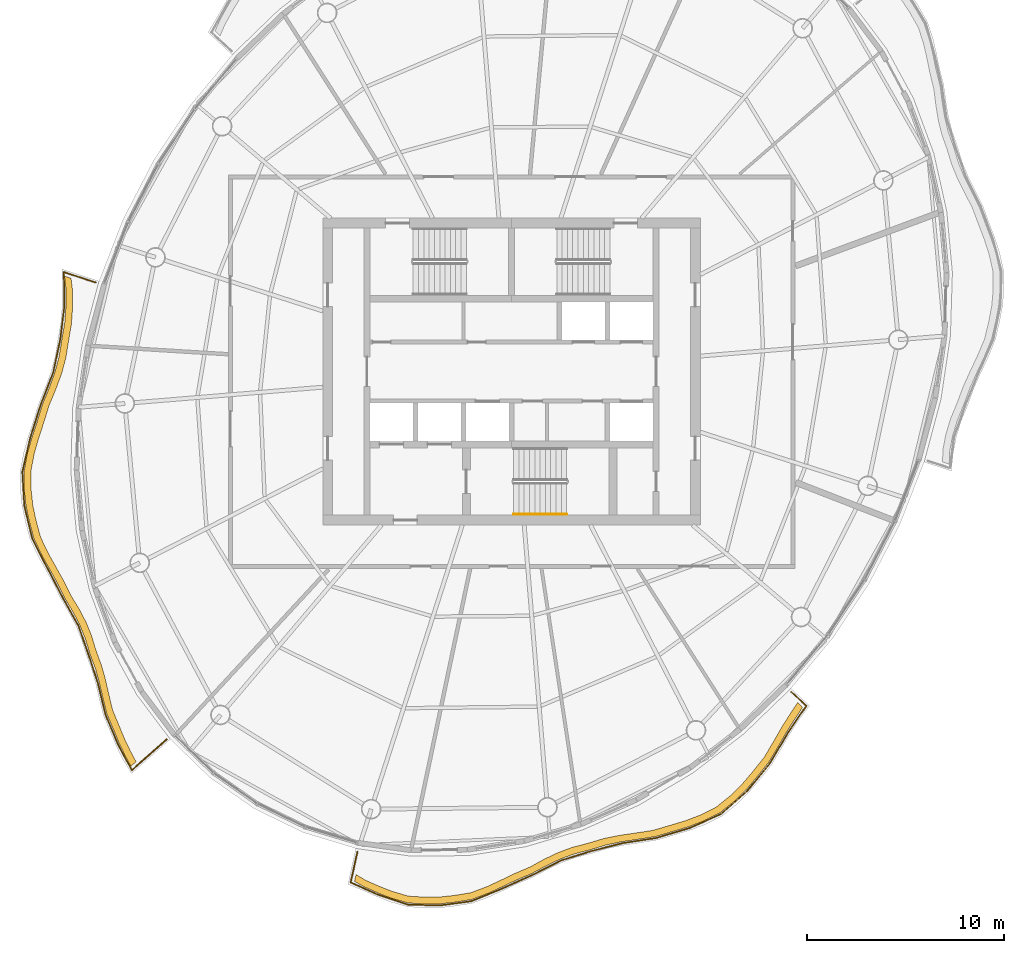
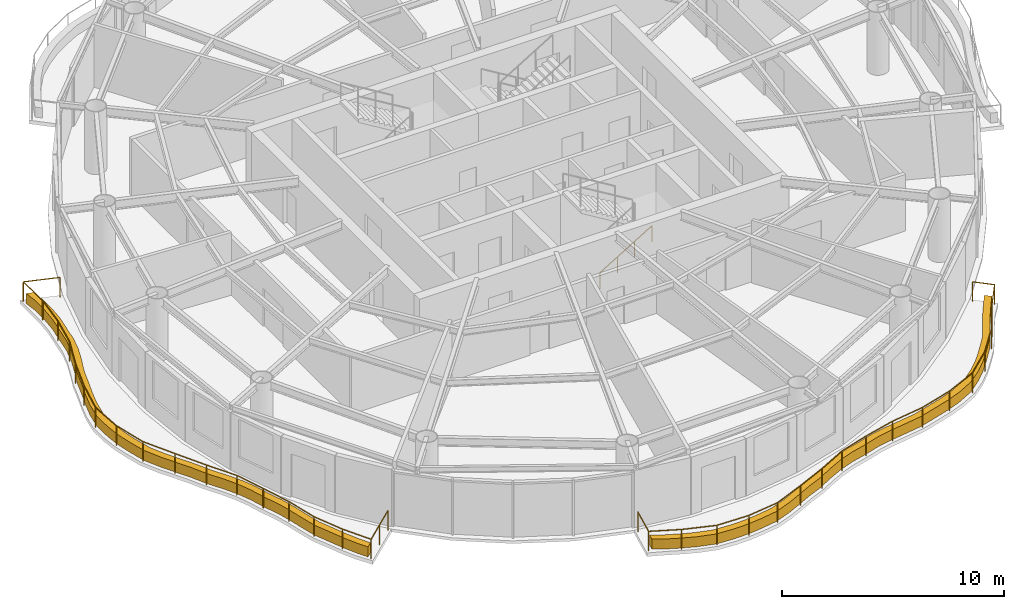
# One storey, part 11 of 13: 3 railings, 2 coverings.
"""IFC4 building model written with IfcOpenShell, lengths in metres."""

from ifc_helpers import new_model, si_unit, direction, frame, origin, origin_2d, place, context, subcontext, project, spatial, polyline, circle, outline, extrude, material, type_object, element, save


model = new_model("IFC4")

# Units and contexts
model_context = context("Model", 3, precision=1e-05, world=origin(), true_north=direction((0.0, 1.0)))
body_context = subcontext(model_context, "Body", "Model", "MODEL_VIEW")
ifc_project = project(units=[si_unit("LENGTHUNIT", "METRE"), si_unit("AREAUNIT", "SQUARE_METRE"), si_unit("VOLUMEUNIT", "CUBIC_METRE"), si_unit("PLANEANGLEUNIT", "RADIAN"), si_unit("MASSUNIT", "GRAM", prefix="KILO")], contexts=[model_context])

# Site, building, storey
site_placement = place(None, origin())
site = spatial("IfcSite", under=ifc_project, at=site_placement, CompositionType="ELEMENT")
building_placement = place(site_placement, origin())
building = spatial("IfcBuilding", under=site, at=building_placement, Name="Vermilion Reach Broadcast Tower", CompositionType="ELEMENT")
storey_placement = place(building_placement, frame((0.0, 0.0, 272.10009765625)))
storey = spatial("IfcBuildingStorey", under=building, at=storey_placement, Name="L67", CompositionType="ELEMENT", Elevation=272.10009765625)

# Coverings
ifc_material_1 = material(Name="Planting soil and greenery")
covering_type = type_object("IfcCoveringType", Name="Balcony PLANTER", PredefinedType="USERDEFINED", material=ifc_material_1)
placement = place(storey_placement, origin())
element("IfcCovering", 1, at=placement, inside=storey, type_object=covering_type, Name="PLANTER L67 group 2", ObjectType="PLANTER", PredefinedType="USERDEFINED", context=body_context, shape_type="SweptSolid", body=[
    extrude(outline(polyline([(-28.733154296875, 4.859619140625), (-28.654052734375, 4.19091796875), (-28.657470703125, 3.333984375), (-28.717529296875, 2.491943359375), (-28.869873046875, 1.613037109375), (-29.0078125, 0.74853515625), (-29.22216796875, -0.04443359375), (-29.509521484375, -0.826416015625), (-29.862548828125, -1.690673828125), (-30.131103515625, -2.572998046875), (-30.39208984375, -3.36474609375), (-30.619384765625, -4.157470703125), (-30.79345703125, -5.097412109375), (-30.77685546875, -6.026123046875), (-30.6943359375, -6.802490234375), (-30.53369140625, -7.572021484375), (-30.292724609375, -8.47509765625), (-29.898193359375, -9.310791015625), (-29.510009765625, -10.00390625), (-29.121337890625, -10.697021484375), (-28.737548828125, -11.48291015625), (-28.303955078125, -12.20849609375), (-27.958740234375, -12.871337890625), (-27.67919921875, -13.55859375), (-27.440673828125, -14.344482421875), (-27.1572265625, -15.10302734375), (-26.9580078125, -15.818115234375), (-26.791259765625, -16.550537109375), (-26.5751953125, -17.409423828125), (-26.235107421875, -18.20849609375), (-25.95654296875, -18.885498046875), (-25.64404296875, -19.537109375), (-25.355224609375, -20.066162109375), (-25.0927734375, -19.83447265625), (-25.36474609375, -19.326416015625), (-25.677001953125, -18.6748046875), (-25.95556640625, -17.997802734375), (-26.281005859375, -17.219970703125), (-26.483642578125, -16.383544921875), (-26.650390625, -15.651123046875), (-26.849609375, -14.93603515625), (-27.1220703125, -14.199951171875), (-27.350830078125, -13.43701171875), (-27.630615234375, -12.749755859375), (-27.975830078125, -12.087158203125), (-28.40185546875, -11.3837890625), (-28.77978515625, -10.620849609375), (-29.16845703125, -9.927734375), (-29.556640625, -9.234619140625), (-29.947021484375, -8.4208984375), (-30.18505859375, -7.5400390625), (-30.345947265625, -6.770751953125), (-30.428466796875, -5.994140625), (-30.443603515625, -5.0869140625), (-30.26953125, -4.16845703125), (-30.042236328125, -3.375732421875), (-29.78125, -2.583740234375), (-29.513916015625, -1.721923828125), (-29.163330078125, -0.878173828125), (-28.8759765625, -0.09619140625), (-28.661865234375, 0.69677734375), (-28.52734375, 1.5419921875), (-28.37939453125, 2.40185546875), (-28.3193359375, 3.24365234375), (-28.31591796875, 4.100830078125), (-28.400390625, 4.7509765625), (-28.733154296875, 4.859619140625)])), origin(), (0.0, 0.0, 1.0), 0.5498046875),
])
element("IfcCovering", 2, at=placement, inside=storey, type_object=covering_type, Name="PLANTER L67 group 3", ObjectType="PLANTER", PredefinedType="USERDEFINED", context=body_context, shape_type="SweptSolid", body=[
    extrude(outline(polyline([(-13.983642578125, -25.9150390625), (-13.4814453125, -26.2021484375), (-12.80810546875, -26.501708984375), (-12.13037109375, -26.770263671875), (-11.2705078125, -27.0166015625), (-10.368896484375, -27.072509765625), (-9.6455078125, -27.062255859375), (-8.9228515625, -26.98388671875), (-8.041259765625, -26.84326171875), (-7.178955078125, -26.52294921875), (-6.47900390625, -26.196533203125), (-5.7802734375, -25.861572265625), (-4.985595703125, -25.527099609375), (-4.21533203125, -25.113525390625), (-3.51953125, -24.78271484375), (-2.8037109375, -24.52001953125), (-1.99951171875, -24.311279296875), (-1.1796875, -24.06298828125), (-0.39697265625, -23.902587890625), (0.404296875, -23.784423828125), (1.315185546875, -23.640869140625), (2.217041015625, -23.376708984375), (3.00634765625, -23.13916015625), (3.765380859375, -22.851318359375), (4.60888671875, -22.425048828125), (5.357421875, -21.8251953125), (5.94091796875, -21.245361328125), (6.480712890625, -20.60888671875), (7.076171875, -19.866943359375), (7.576171875, -19.03515625), (8.00537109375, -18.2861328125), (8.463623046875, -17.5673828125), (8.79638671875, -17.0634765625), (8.5400390625, -16.825439453125), (8.220703125, -17.3154296875), (7.762451171875, -18.034423828125), (7.3330078125, -18.783203125), (6.847900390625, -19.601806640625), (6.267333984375, -20.3310546875), (5.727783203125, -20.9677734375), (5.144287109375, -21.547607421875), (4.412109375, -22.13525390625), (3.586181640625, -22.55078125), (2.826904296875, -22.838623046875), (2.03759765625, -23.076171875), (1.154541015625, -23.330078125), (0.262939453125, -23.464111328125), (-0.538330078125, -23.58251953125), (-1.321044921875, -23.74267578125), (-2.119873046875, -23.982666015625), (-2.90283203125, -24.184326171875), (-3.618896484375, -24.447021484375), (-4.314697265625, -24.77783203125), (-5.061767578125, -25.185546875), (-5.833251953125, -25.515625), (-6.531982421875, -25.8505859375), (-7.232177734375, -26.177001953125), (-8.069580078125, -26.494384765625), (-8.92626953125, -26.6337890625), (-9.64892578125, -26.712158203125), (-10.372314453125, -26.722412109375), (-11.247802734375, -26.667236328125), (-12.081787109375, -26.423583984375), (-12.759521484375, -26.1552734375), (-13.432861328125, -25.855712890625), (-13.908447265625, -25.572998046875), (-13.983642578125, -25.9150390625)])), origin(), (0.0, 0.0, 1.0), 0.5498046875),
])

# Railings
ifc_material_2 = material(Name="Stainless steel 316 balustrade", Category="steel")
railing_type_1 = type_object("IfcRailingType", Name="Balcony guard 1100", PredefinedType="BALUSTRADE", material=ifc_material_2)
railing_1_placement = place(storey_placement, frame((-27.152099609375, 4.53271484375, 0.0)))
element("IfcRailing", 3, at=railing_1_placement, inside=storey, type_object=railing_type_1, Name="Balcony guard L67 group 2", PredefinedType="BALUSTRADE", context=body_context, shape_type="SweptSolid", body=[
    extrude(circle(Radius=0.02490234375, at=origin_2d()), frame((0.0, 0.0, 1.0751953125), z_axis=(-0.950667040918, 0.310213115959, 0.0), x_axis=(-0.310213115959, -0.950667040918, 0.0)), (0.0, 0.0, 1.0), 1.6943359375),
    extrude(circle(Radius=0.02490234375, at=origin_2d()), frame((-1.61083984375, 0.525634765625, 1.0751953125), z_axis=(0.016618996964, -0.999861894933, 0.0), x_axis=(0.999861894933, 0.016618996964, 0.0)), (0.0, 0.0, 1.0), 1.7041015625),
    extrude(circle(Radius=0.02490234375, at=origin_2d()), frame((-1.58251953125, -1.17822265625, 1.0751953125), z_axis=(-0.1228937663, -0.992419831626, 0.0), x_axis=(0.992419831626, -0.1228937663, 0.0)), (0.0, 0.0, 1.0), 1.73828125),
    extrude(circle(Radius=0.02490234375, at=origin_2d()), frame((-1.796142578125, -2.9033203125, 1.0751953125), z_axis=(-0.207762523651, -0.978179295307, 0.0), x_axis=(0.978179295307, -0.207762523651, 0.0)), (0.0, 0.0, 1.0), 1.69921875),
    extrude(circle(Radius=0.02490234375, at=origin_2d()), frame((-2.149169921875, -4.5654296875, 1.0751953125), z_axis=(-0.361933871046, -0.932203772246, 0.0), x_axis=(0.932203772246, -0.361933871046, 0.0)), (0.0, 0.0, 1.0), 1.770751953125),
    extrude(circle(Radius=0.02490234375, at=origin_2d()), frame((-2.7900390625, -6.216064453125, 1.0751953125), z_axis=(-0.300918985696, -0.953649707203, 0.0), x_axis=(0.953649707203, -0.300918985696, 0.0)), (0.0, 0.0, 1.0), 1.760498046875),
    extrude(circle(Radius=0.02490234375, at=origin_2d()), frame((-3.31982421875, -7.89501953125, 1.0751953125), z_axis=(-0.225199434102, -0.974312688453, 0.0), x_axis=(0.974312688453, -0.225199434102, 0.0)), (0.0, 0.0, 1.0), 1.783447265625),
    extrude(circle(Radius=0.02490234375, at=origin_2d()), frame((-3.721435546875, -9.632568359375, 1.0751953125), z_axis=(0.058011789051, -0.998315898066, 0.0), x_axis=(0.998315898066, 0.058011789051, 0.0)), (0.0, 0.0, 1.0), 1.712890625),
    extrude(circle(Radius=0.02490234375, at=origin_2d()), frame((-3.6220703125, -11.342529296875, 1.0751953125), z_axis=(0.233201686069, -0.972428389967, 0.0), x_axis=(0.972428389967, 0.233201686069, 0.0)), (0.0, 0.0, 1.0), 1.725341796875),
    extrude(circle(Radius=0.02490234375, at=origin_2d()), frame((-3.2197265625, -13.020263671875, 1.0751953125), z_axis=(0.454963715358, -0.890509976198, 0.0), x_axis=(0.890509976198, 0.454963715358, 0.0)), (0.0, 0.0, 1.0), 1.72265625),
    extrude(circle(Radius=0.02490234375, at=origin_2d()), frame((-2.43603515625, -14.55419921875, 1.0751953125), z_axis=(0.462376573042, -0.886683655371, 0.0), x_axis=(0.886683655371, 0.462376573042, 0.0)), (0.0, 0.0, 1.0), 1.673828125),
    extrude(circle(Radius=0.02490234375, at=origin_2d()), frame((-1.662109375, -16.038330078125, 1.0751953125), z_axis=(0.488663875061, -0.872472129761, 0.0), x_axis=(0.872472129761, 0.488663875061, 0.0)), (0.0, 0.0, 1.0), 1.59716796875),
    extrude(circle(Radius=0.02490234375, at=origin_2d()), frame((-0.881591796875, -17.431884765625, 1.0751953125), z_axis=(0.331793266566, -0.943352123155, 0.0), x_axis=(0.943352123155, 0.331793266566, 0.0)), (0.0, 0.0, 1.0), 1.5673828125),
    extrude(circle(Radius=0.02490234375, at=origin_2d()), frame((-0.361572265625, -18.910400390625, 1.0751953125), z_axis=(0.311894349211, -0.950116790153, 0.0), x_axis=(0.950116790153, 0.311894349211, 0.0)), (0.0, 0.0, 1.0), 1.55615234375),
    extrude(circle(Radius=0.02490234375, at=origin_2d()), frame((0.123779296875, -20.388916015625, 1.0751953125), z_axis=(0.234868179442, -0.972027231247, 0.0), x_axis=(0.972027231247, 0.234868179442, 0.0)), (0.0, 0.0, 1.0), 1.642333984375),
    extrude(circle(Radius=0.02490234375, at=origin_2d()), frame((0.509521484375, -21.9853515625, 1.0751953125), z_axis=(0.38739784264, -0.921912637682, 0.0), x_axis=(0.921912637682, 0.38739784264, 0.0)), (0.0, 0.0, 1.0), 1.6064453125),
    extrude(circle(Radius=0.02490234375, at=origin_2d()), frame((1.1318359375, -23.46630859375, 1.0751953125), z_axis=(0.472854479557, -0.881140534287, 0.0), x_axis=(0.881140534287, 0.472854479557, 0.0)), (0.0, 0.0, 1.0), 1.508544921875),
    extrude(circle(Radius=0.02490234375, at=origin_2d()), frame((1.84521484375, -24.795654296875, 1.0751953125), z_axis=(0.749581652204, 0.661911887399, 0.0), x_axis=(-0.661911887399, 0.749581652204, 0.0)), (0.0, 0.0, 1.0), 2.3642578125),
    extrude(circle(Radius=0.02490234375, at=origin_2d()), origin(), (0.0, 0.0, 1.0), 1.050048828125),
    extrude(circle(Radius=0.02490234375, at=origin_2d()), frame((-1.61083984375, 0.525634765625, 0.0)), (0.0, 0.0, 1.0), 1.050048828125),
    extrude(circle(Radius=0.02490234375, at=origin_2d()), frame((-1.58251953125, -1.17822265625, 0.0)), (0.0, 0.0, 1.0), 1.050048828125),
    extrude(circle(Radius=0.02490234375, at=origin_2d()), frame((-1.796142578125, -2.9033203125, 0.0)), (0.0, 0.0, 1.0), 1.050048828125),
    extrude(circle(Radius=0.02490234375, at=origin_2d()), frame((-2.149169921875, -4.5654296875, 0.0)), (0.0, 0.0, 1.0), 1.050048828125),
    extrude(circle(Radius=0.02490234375, at=origin_2d()), frame((-2.7900390625, -6.216064453125, 0.0)), (0.0, 0.0, 1.0), 1.050048828125),
    extrude(circle(Radius=0.02490234375, at=origin_2d()), frame((-3.31982421875, -7.89501953125, 0.0)), (0.0, 0.0, 1.0), 1.050048828125),
    extrude(circle(Radius=0.02490234375, at=origin_2d()), frame((-3.721435546875, -9.632568359375, 0.0)), (0.0, 0.0, 1.0), 1.050048828125),
    extrude(circle(Radius=0.02490234375, at=origin_2d()), frame((-3.6220703125, -11.342529296875, 0.0)), (0.0, 0.0, 1.0), 1.050048828125),
    extrude(circle(Radius=0.02490234375, at=origin_2d()), frame((-3.2197265625, -13.020263671875, 0.0)), (0.0, 0.0, 1.0), 1.050048828125),
    extrude(circle(Radius=0.02490234375, at=origin_2d()), frame((-2.43603515625, -14.55419921875, 0.0)), (0.0, 0.0, 1.0), 1.050048828125),
    extrude(circle(Radius=0.02490234375, at=origin_2d()), frame((-1.662109375, -16.038330078125, 0.0)), (0.0, 0.0, 1.0), 1.050048828125),
    extrude(circle(Radius=0.02490234375, at=origin_2d()), frame((-0.881591796875, -17.431884765625, 0.0)), (0.0, 0.0, 1.0), 1.050048828125),
    extrude(circle(Radius=0.02490234375, at=origin_2d()), frame((-0.361572265625, -18.910400390625, 0.0)), (0.0, 0.0, 1.0), 1.050048828125),
    extrude(circle(Radius=0.02490234375, at=origin_2d()), frame((0.123779296875, -20.388916015625, 0.0)), (0.0, 0.0, 1.0), 1.050048828125),
    extrude(circle(Radius=0.02490234375, at=origin_2d()), frame((0.509521484375, -21.9853515625, 0.0)), (0.0, 0.0, 1.0), 1.050048828125),
    extrude(circle(Radius=0.02490234375, at=origin_2d()), frame((1.1318359375, -23.46630859375, 0.0)), (0.0, 0.0, 1.0), 1.050048828125),
    extrude(circle(Radius=0.02490234375, at=origin_2d()), frame((1.84521484375, -24.795654296875, 0.0)), (0.0, 0.0, 1.0), 1.050048828125),
    extrude(circle(Radius=0.02490234375, at=origin_2d()), frame((2.7314453125, -24.01318359375, 0.0)), (0.0, 0.0, 1.0), 1.050048828125),
    extrude(circle(Radius=0.02490234375, at=origin_2d()), frame((3.617431640625, -23.230712890625, 0.0)), (0.0, 0.0, 1.0), 1.050048828125),
])
railing_2_placement = place(storey_placement, frame((-13.835693359375, -24.40673828125, 0.0)))
element("IfcRailing", 4, at=railing_2_placement, inside=storey, type_object=railing_type_1, Name="Balcony guard L67 group 3", PredefinedType="BALUSTRADE", context=body_context, shape_type="SweptSolid", body=[
    extrude(circle(Radius=0.02490234375, at=origin_2d()), frame((0.0, 0.0, 1.0751953125), z_axis=(-0.214876349564, -0.976641261876, 0.0), x_axis=(0.976641261876, -0.214876349564, 0.0)), (0.0, 0.0, 1.0), 1.5986328125),
    extrude(circle(Radius=0.02490234375, at=origin_2d()), frame((-0.343505859375, -1.561279296875, 1.0751953125), z_axis=(0.911645679425, -0.410977073795, 0.0), x_axis=(0.410977073795, 0.911645679425, 0.0)), (0.0, 0.0, 1.0), 1.49169921875),
    extrude(circle(Radius=0.02490234375, at=origin_2d()), frame((1.016357421875, -2.17431640625, 1.0751953125), z_axis=(0.94853317815, -0.3166777699, 0.0), x_axis=(0.3166777699, 0.94853317815, 0.0)), (0.0, 0.0, 1.0), 1.62744140625),
    extrude(circle(Radius=0.02490234375, at=origin_2d()), frame((2.56005859375, -2.689697265625, 1.0751953125), z_axis=(0.999608397795, -0.027983049459, 0.0), x_axis=(0.027983049459, 0.999608397795, 0.0)), (0.0, 0.0, 1.0), 1.631591796875),
    extrude(circle(Radius=0.02490234375, at=origin_2d()), frame((4.19091796875, -2.7353515625, 1.0751953125), z_axis=(0.990874007733, 0.134791323163, 0.0), x_axis=(-0.134791323163, 0.990874007733, 0.0)), (0.0, 0.0, 1.0), 1.624755859375),
    extrude(circle(Radius=0.02490234375, at=origin_2d()), frame((5.80078125, -2.516357421875, 1.0751953125), z_axis=(0.924311091662, 0.381639890252, 0.0), x_axis=(-0.381639890252, 0.924311091662, 0.0)), (0.0, 0.0, 1.0), 1.696533203125),
    extrude(circle(Radius=0.02490234375, at=origin_2d()), frame((7.368896484375, -1.868896484375, 1.0751953125), z_axis=(0.912840130151, 0.408317152206, 0.0), x_axis=(-0.408317152206, 0.912840130151, 0.0)), (0.0, 0.0, 1.0), 1.641845703125),
    extrude(circle(Radius=0.02490234375, at=origin_2d()), frame((8.86767578125, -1.198486328125, 1.0751953125), z_axis=(0.891926745131, 0.452179921403, 0.0), x_axis=(-0.452179921403, 0.891926745131, 0.0)), (0.0, 0.0, 1.0), 1.6494140625),
    extrude(circle(Radius=0.02490234375, at=origin_2d()), frame((10.3388671875, -0.45263671875, 1.0751953125), z_axis=(0.95508204655, 0.296341499554, 0.0), x_axis=(-0.296341499554, 0.95508204655, 0.0)), (0.0, 0.0, 1.0), 1.5966796875),
    extrude(circle(Radius=0.02490234375, at=origin_2d()), frame((11.86376953125, 0.0205078125, 1.0751953125), z_axis=(0.96891846113, 0.247380305766, 0.0), x_axis=(-0.247380305766, 0.96891846113, 0.0)), (0.0, 0.0, 1.0), 1.658935546875),
    extrude(circle(Radius=0.02490234375, at=origin_2d()), frame((13.47119140625, 0.430908203125, 1.0751953125), z_axis=(0.98838631943, 0.151962112261, 0.0), x_axis=(-0.151962112261, 0.98838631943, 0.0)), (0.0, 0.0, 1.0), 1.73681640625),
    extrude(circle(Radius=0.02490234375, at=origin_2d()), frame((15.187744140625, 0.69482421875, 1.0751953125), z_axis=(0.958552660155, 0.284915422028, 0.0), x_axis=(-0.284915422028, 0.958552660155, 0.0)), (0.0, 0.0, 1.0), 1.7685546875),
    extrude(circle(Radius=0.02490234375, at=origin_2d()), frame((16.883056640625, 1.19873046875, 1.0751953125), z_axis=(0.913215359081, 0.407477248368, 0.0), x_axis=(-0.407477248368, 0.913215359081, 0.0)), (0.0, 0.0, 1.0), 1.759033203125),
    extrude(circle(Radius=0.02490234375, at=origin_2d()), frame((18.489501953125, 1.91552734375, 1.0751953125), z_axis=(0.74877447388, 0.66282485414, 0.0), x_axis=(-0.66282485414, 0.74877447388, 0.0)), (0.0, 0.0, 1.0), 1.783935546875),
    extrude(circle(Radius=0.02490234375, at=origin_2d()), frame((19.8251953125, 3.097900390625, 1.0751953125), z_axis=(0.636151675492, 0.771564025709, 0.0), x_axis=(-0.771564025709, 0.636151675492, 0.0)), (0.0, 0.0, 1.0), 1.790283203125),
    extrude(circle(Radius=0.02490234375, at=origin_2d()), frame((20.964111328125, 4.479248046875, 1.0751953125), z_axis=(0.507426426594, 0.861695086208, 0.0), x_axis=(-0.861695086208, 0.507426426594, 0.0)), (0.0, 0.0, 1.0), 1.837890625),
    extrude(circle(Radius=0.02490234375, at=origin_2d()), frame((21.896728515625, 6.06298828125, 1.0751953125), z_axis=(0.564405760998, 0.82549750875, 0.0), x_axis=(-0.82549750875, 0.564405760998, 0.0)), (0.0, 0.0, 1.0), 1.636474609375),
    extrude(circle(Radius=0.02490234375, at=origin_2d()), frame((22.8203125, 7.413818359375, 1.0751953125), z_axis=(-0.732835738512, 0.680405599888, 0.0), x_axis=(-0.680405599888, -0.732835738512, 0.0)), (0.0, 0.0, 1.0), 1.029052734375),
    extrude(circle(Radius=0.02490234375, at=origin_2d()), origin(), (0.0, 0.0, 1.0), 1.050048828125),
    extrude(circle(Radius=0.02490234375, at=origin_2d()), frame((-0.343505859375, -1.561279296875, 0.0)), (0.0, 0.0, 1.0), 1.050048828125),
    extrude(circle(Radius=0.02490234375, at=origin_2d()), frame((1.016357421875, -2.17431640625, 0.0)), (0.0, 0.0, 1.0), 1.050048828125),
    extrude(circle(Radius=0.02490234375, at=origin_2d()), frame((2.56005859375, -2.689697265625, 0.0)), (0.0, 0.0, 1.0), 1.050048828125),
    extrude(circle(Radius=0.02490234375, at=origin_2d()), frame((4.19091796875, -2.7353515625, 0.0)), (0.0, 0.0, 1.0), 1.050048828125),
    extrude(circle(Radius=0.02490234375, at=origin_2d()), frame((5.80078125, -2.516357421875, 0.0)), (0.0, 0.0, 1.0), 1.050048828125),
    extrude(circle(Radius=0.02490234375, at=origin_2d()), frame((7.368896484375, -1.868896484375, 0.0)), (0.0, 0.0, 1.0), 1.050048828125),
    extrude(circle(Radius=0.02490234375, at=origin_2d()), frame((8.86767578125, -1.198486328125, 0.0)), (0.0, 0.0, 1.0), 1.050048828125),
    extrude(circle(Radius=0.02490234375, at=origin_2d()), frame((10.3388671875, -0.45263671875, 0.0)), (0.0, 0.0, 1.0), 1.050048828125),
    extrude(circle(Radius=0.02490234375, at=origin_2d()), frame((11.86376953125, 0.0205078125, 0.0)), (0.0, 0.0, 1.0), 1.050048828125),
    extrude(circle(Radius=0.02490234375, at=origin_2d()), frame((13.47119140625, 0.430908203125, 0.0)), (0.0, 0.0, 1.0), 1.050048828125),
    extrude(circle(Radius=0.02490234375, at=origin_2d()), frame((15.187744140625, 0.69482421875, 0.0)), (0.0, 0.0, 1.0), 1.050048828125),
    extrude(circle(Radius=0.02490234375, at=origin_2d()), frame((16.883056640625, 1.19873046875, 0.0)), (0.0, 0.0, 1.0), 1.050048828125),
    extrude(circle(Radius=0.02490234375, at=origin_2d()), frame((18.489501953125, 1.91552734375, 0.0)), (0.0, 0.0, 1.0), 1.050048828125),
    extrude(circle(Radius=0.02490234375, at=origin_2d()), frame((19.8251953125, 3.097900390625, 0.0)), (0.0, 0.0, 1.0), 1.050048828125),
    extrude(circle(Radius=0.02490234375, at=origin_2d()), frame((20.964111328125, 4.479248046875, 0.0)), (0.0, 0.0, 1.0), 1.050048828125),
    extrude(circle(Radius=0.02490234375, at=origin_2d()), frame((21.430419921875, 5.27099609375, 0.0)), (0.0, 0.0, 1.0), 1.050048828125),
    extrude(circle(Radius=0.02490234375, at=origin_2d()), frame((21.896728515625, 6.06298828125, 0.0)), (0.0, 0.0, 1.0), 1.050048828125),
    extrude(circle(Radius=0.02490234375, at=origin_2d()), frame((22.8203125, 7.413818359375, 0.0)), (0.0, 0.0, 1.0), 1.050048828125),
    extrude(circle(Radius=0.02490234375, at=origin_2d()), frame((22.066162109375, 8.114013671875, 0.0)), (0.0, 0.0, 1.0), 1.050048828125),
])
ifc_material_3 = material(Name="Stainless steel", Category="steel")
railing_type_2 = type_object("IfcRailingType", Name="Stair handrail", PredefinedType="HANDRAIL", material=ifc_material_3)
railing_3_placement = place(storey_placement, frame((-5.89990234375, -7.25, 0.16357421875)))
element("IfcRailing", 5, at=railing_3_placement, inside=storey, type_object=railing_type_2, Name="L67 ST3 stair handrail 1", PredefinedType="HANDRAIL", context=body_context, shape_type="SweptSolid", body=[
    extrude(circle(Radius=0.02392578125, at=origin_2d()), frame((0.0, 0.0, 0.8759765625), z_axis=(0.855212373127, 0.0, 0.518277721738), x_axis=(0.0, 1.0, 0.0)), (0.0, 0.0, 1.0), 3.156982421875),
    extrude(circle(Radius=0.02099609375, at=origin_2d()), origin(), (0.0, 0.0, 1.0), 0.851806640625),
    extrude(circle(Radius=0.02099609375, at=origin_2d()), frame((0.89990234375, 0.0, 0.54541015625)), (0.0, 0.0, 1.0), 0.851806640625),
    extrude(circle(Radius=0.02099609375, at=origin_2d()), frame((1.800048828125, 0.0, 1.0908203125)), (0.0, 0.0, 1.0), 0.851806640625),
    extrude(circle(Radius=0.02099609375, at=origin_2d()), frame((2.699951171875, 0.0, 1.63623046875)), (0.0, 0.0, 1.0), 0.851806640625),
])

save(model, "model.ifc")
